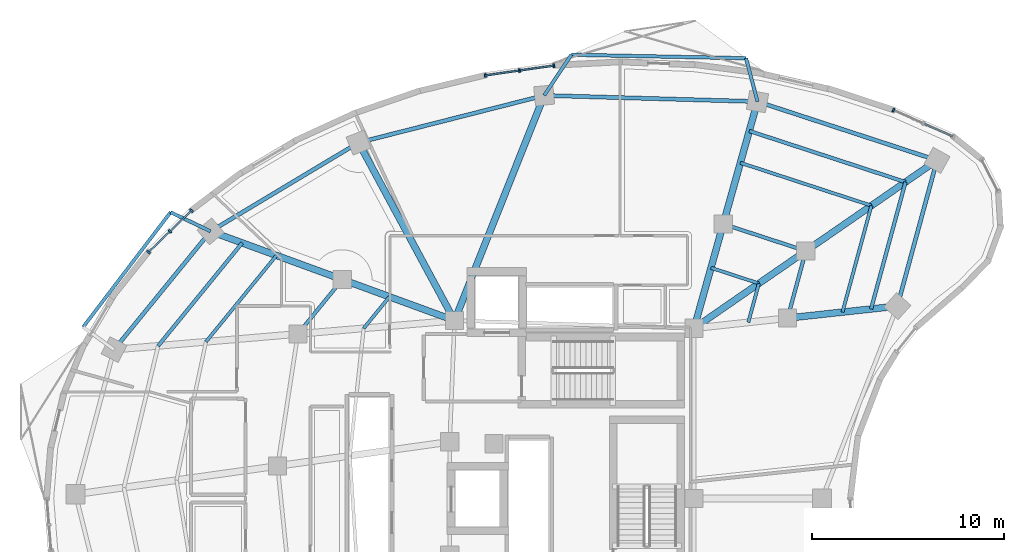
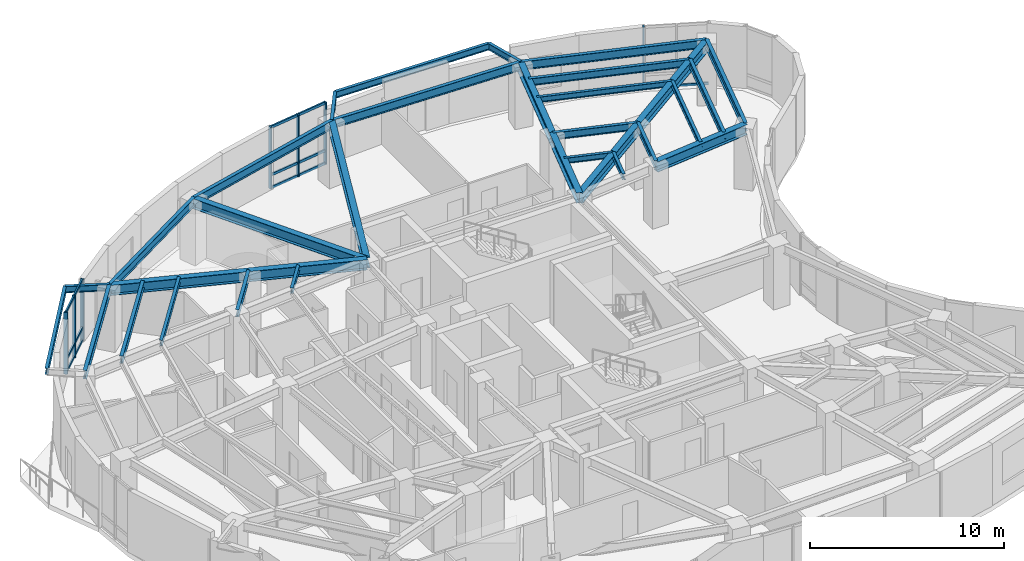
# One storey, part 5 of 14: 32 beams, 20 members, 3 elements without a shape of their own.
"""IFC4 building model written with IfcOpenShell, lengths in metres."""

from ifc_helpers import new_model, si_unit, direction, frame, origin, origin_2d, place, context, subcontext, project, spatial, rectangle, i_section, extrude, material, layer, layer_set, material_profile, profile_set, type_object, element, aggregate, save


model = new_model("IFC4")

# Units and contexts
model_context = context("Model", 3, precision=1e-05, world=origin(), true_north=direction((0.0, 1.0)))
body_context = subcontext(model_context, "Body", "Model", "MODEL_VIEW")
ifc_project = project(units=[si_unit("LENGTHUNIT", "METRE"), si_unit("AREAUNIT", "SQUARE_METRE"), si_unit("VOLUMEUNIT", "CUBIC_METRE"), si_unit("PLANEANGLEUNIT", "RADIAN"), si_unit("MASSUNIT", "GRAM", prefix="KILO")], contexts=[model_context])

# Site, building, storey
site_placement = place(None, origin())
site = spatial("IfcSite", under=ifc_project, at=site_placement, CompositionType="ELEMENT")
building_placement = place(site_placement, origin())
building = spatial("IfcBuilding", under=site, at=building_placement, Name="Korentha Bioscience Tower", CompositionType="ELEMENT")
storey_placement = place(building_placement, frame((0.0, 0.0, 231.0)))
storey = spatial("IfcBuildingStorey", under=building, at=storey_placement, Name="L53", CompositionType="ELEMENT", Elevation=231.0)

# Beams
ifc_material_1 = material(Name="Steel S355", Category="steel")
ifc_material_profile_1 = material_profile(ifc_material_1, i_section(OverallWidth=0.18994140625, OverallDepth=0.45703125, WebThickness=0.009033203125, FlangeThickness=0.014404296875, at=origin_2d()), Name="Steel S355")
ifc_profile_set_1 = profile_set([ifc_material_profile_1], Name="Steel S355 (MB-460)")
beam_type_1 = type_object("IfcBeamType", Name="Mid-Ring Tie Girder W460x74", PredefinedType="BEAM", material=ifc_profile_set_1)
beam_1_placement = place(storey_placement, frame((43.357666015625, 39.8662109375, 3.67138671875), z_axis=(-0.950447398506, 0.310885417274, 0.0), x_axis=(-0.310885417274, -0.950447398506, 0.0)))
element("IfcBeam", 1, at=beam_1_placement, inside=storey, type_object=beam_type_1, Name="L53 Mid-Ring Tie Girder 01", PredefinedType="BEAM", context=body_context, shape_type="SweptSolid", body=[
    extrude(i_section(OverallWidth=0.18994140625, OverallDepth=0.45703125, WebThickness=0.009033203125, FlangeThickness=0.014404296875, at=origin_2d()), origin(), (0.0, 0.0, 1.0), 4.5146484375),
])
beam_2_placement = place(storey_placement, frame((19.268310546875, 38.3837890625, 3.67138671875), z_axis=(-0.632275728894, -0.774743443116, 0.0), x_axis=(0.774743443116, -0.632275728894, 0.0)))
element("IfcBeam", 2, at=beam_2_placement, inside=storey, type_object=beam_type_1, Name="L53 Mid-Ring Tie Girder 05", PredefinedType="BEAM", context=body_context, shape_type="SweptSolid", body=[
    extrude(i_section(OverallWidth=0.18994140625, OverallDepth=0.45703125, WebThickness=0.009033203125, FlangeThickness=0.014404296875, at=origin_2d()), origin(), (0.0, 0.0, 1.0), 3.650146484375),
])
beam_3_placement = place(storey_placement, frame((42.41064453125, 36.379638671875, 3.67138671875), z_axis=(0.262122358011, 0.965034646752, 0.0), x_axis=(-0.965034646752, 0.262122358011, 0.0)))
element("IfcBeam", 3, at=beam_3_placement, inside=storey, type_object=beam_type_1, Name="L53 Mid-Ring Tie Girder 16", PredefinedType="BEAM", context=body_context, shape_type="SweptSolid", body=[
    extrude(i_section(OverallWidth=0.18994140625, OverallDepth=0.45703125, WebThickness=0.009033203125, FlangeThickness=0.014404296875, at=origin_2d()), origin(), (0.0, 0.0, 1.0), 3.61279296875),
])

# Curtain wall, member
ifc_material_2 = material(Name="Thermally Broken Aluminium Frame", Category="aluminium")
ifc_layer = layer(ifc_material_2, 0.219970703125, Name="Thermally Broken Aluminium Frame")
ifc_layer_set = layer_set([ifc_layer], Name="Thermally Broken Aluminium Frame (CW-T1)")
curtain_wall_type = type_object("IfcCurtainWallType", Name="Standard Bioscience Lab Unitised Curtain Wall CW-T1", PredefinedType="USERDEFINED", material=ifc_layer_set)
curtain_wall_1_placement = place(storey_placement, origin())
curtain_wall_1 = element("IfcCurtainWall", 4, at=curtain_wall_1_placement, inside=storey, type_object=curtain_wall_type, Name="L53 Curtain Wall 01", ObjectType="UNITISED", PredefinedType="USERDEFINED")
ifc_material_3 = material(Name="Anodised Aluminium 6063-T6", Category="aluminium")
ifc_material_profile_2 = material_profile(ifc_material_3, rectangle(XDim=0.090087890625, YDim=0.199951171875, at=origin_2d()), Name="Anodised Aluminium 6063-T6")
ifc_profile_set_2 = profile_set([ifc_material_profile_2], Name="Anodised Aluminium 6063-T6 (CW-MUL)")
member_type_1 = type_object("IfcMemberType", Name="Mullion RECT 90x200", PredefinedType="MULLION", material=ifc_profile_set_2)
member_1_placement = place(storey_placement, frame((47.9052734375, 47.186279296875, 0.0), z_axis=(0.0, 0.0, 1.0), x_axis=(-0.913943941578, 0.405840450983, 0.0)))
member_1 = element("IfcMember", 5, at=member_1_placement, type_object=member_type_1, Name="CW-L53-01 Mullion 3", PredefinedType="MULLION", context=body_context, shape_type="SweptSolid", body=[
    extrude(rectangle(XDim=0.090087890625, YDim=0.199951171875, at=origin_2d()), origin(), (0.0, 0.0, 1.0), 3.89990234375),
])

# Curtain wall, members
curtain_wall_2_placement = place(storey_placement, origin())
curtain_wall_2 = element("IfcCurtainWall", 6, at=curtain_wall_2_placement, inside=storey, type_object=curtain_wall_type, Name="L53 Curtain Wall 07", ObjectType="UNITISED", PredefinedType="USERDEFINED")
member_2_placement = place(storey_placement, frame((30.267578125, 49.498779296875, 0.0), z_axis=(0.0, 0.0, 1.0), x_axis=(-0.989901889134, -0.141754188259, 0.0)))
member_2 = element("IfcMember", 7, at=member_2_placement, type_object=member_type_1, Name="CW-L53-07 Mullion 1", PredefinedType="MULLION", context=body_context, shape_type="SweptSolid", body=[
    extrude(rectangle(XDim=0.090087890625, YDim=0.199951171875, at=origin_2d()), origin(), (0.0, 0.0, 1.0), 3.89990234375),
])
member_3_placement = place(storey_placement, frame((28.47998046875, 49.242919921875, 0.0), z_axis=(0.0, 0.0, 1.0), x_axis=(-0.989901889134, -0.141754188259, 0.0)))
member_3 = element("IfcMember", 8, at=member_3_placement, type_object=member_type_1, Name="CW-L53-07 Mullion 2", PredefinedType="MULLION", context=body_context, shape_type="SweptSolid", body=[
    extrude(rectangle(XDim=0.090087890625, YDim=0.199951171875, at=origin_2d()), origin(), (0.0, 0.0, 1.0), 3.89990234375),
])
member_4_placement = place(storey_placement, frame((26.6923828125, 48.98681640625, 0.0), z_axis=(0.0, 0.0, 1.0), x_axis=(-0.989901889134, -0.141754188259, 0.0)))
member_4 = element("IfcMember", 9, at=member_4_placement, type_object=member_type_1, Name="CW-L53-07 Mullion 3", PredefinedType="MULLION", context=body_context, shape_type="SweptSolid", body=[
    extrude(rectangle(XDim=0.090087890625, YDim=0.199951171875, at=origin_2d()), origin(), (0.0, 0.0, 1.0), 3.89990234375),
])

curtain_wall_3_placement = place(storey_placement, origin())
curtain_wall_3 = element("IfcCurtainWall", 10, at=curtain_wall_3_placement, inside=storey, type_object=curtain_wall_type, Name="L53 Curtain Wall 13", ObjectType="UNITISED", PredefinedType="USERDEFINED")
member_5_placement = place(storey_placement, frame((11.43017578125, 41.968994140625, 0.0), z_axis=(0.0, 0.0, 1.0), x_axis=(-0.719000359175, -0.695009700297, 0.0)))
member_5 = element("IfcMember", 11, at=member_5_placement, type_object=member_type_1, Name="CW-L53-13 Mullion 1", PredefinedType="MULLION", context=body_context, shape_type="SweptSolid", body=[
    extrude(rectangle(XDim=0.090087890625, YDim=0.199951171875, at=origin_2d()), origin(), (0.0, 0.0, 1.0), 3.89990234375),
])
member_6_placement = place(storey_placement, frame((10.313232421875, 40.889404296875, 0.0), z_axis=(0.0, 0.0, 1.0), x_axis=(-0.719000359175, -0.695009700297, 0.0)))
member_6 = element("IfcMember", 12, at=member_6_placement, type_object=member_type_1, Name="CW-L53-13 Mullion 2", PredefinedType="MULLION", context=body_context, shape_type="SweptSolid", body=[
    extrude(rectangle(XDim=0.090087890625, YDim=0.199951171875, at=origin_2d()), origin(), (0.0, 0.0, 1.0), 3.89990234375),
])
member_7_placement = place(storey_placement, frame((9.1962890625, 39.809814453125, 0.0), z_axis=(0.0, 0.0, 1.0), x_axis=(-0.719000359175, -0.695009700297, 0.0)))
member_7 = element("IfcMember", 13, at=member_7_placement, type_object=member_type_1, Name="CW-L53-13 Mullion 3", PredefinedType="MULLION", context=body_context, shape_type="SweptSolid", body=[
    extrude(rectangle(XDim=0.090087890625, YDim=0.199951171875, at=origin_2d()), origin(), (0.0, 0.0, 1.0), 3.89990234375),
])

# Beams
ifc_material_profile_3 = material_profile(ifc_material_1, i_section(OverallWidth=0.208984375, OverallDepth=0.532958984375, WebThickness=0.01025390625, FlangeThickness=0.015625, at=origin_2d()), Name="Steel S355")
ifc_profile_set_3 = profile_set([ifc_material_profile_3], Name="Steel S355 (SB-530)")
beam_type_2 = type_object("IfcBeamType", Name="Perimeter Ring Spandrel Girder W530x92", PredefinedType="SPANDREL", material=ifc_profile_set_3)
beam_4_placement = place(storey_placement, frame((50.175537109375, 44.580810546875, 3.633544921875), z_axis=(-0.950449256032, 0.310879738338, 0.0), x_axis=(-0.310879738338, -0.950449256032, 0.0)))
element("IfcBeam", 14, at=beam_4_placement, inside=storey, type_object=beam_type_2, Name="L53 Perimeter Spandrel Girder 01", PredefinedType="SPANDREL", context=body_context, shape_type="SweptSolid", body=[
    extrude(i_section(OverallWidth=0.208984375, OverallDepth=0.532958984375, WebThickness=0.01025390625, FlangeThickness=0.015625, at=origin_2d()), origin(), (0.0, 0.0, 1.0), 9.81494140625),
])
beam_5_placement = place(storey_placement, frame((40.846923828125, 47.632080078125, 3.633544921875), z_axis=(-0.999586140554, 0.028767127286, 0.0), x_axis=(-0.028767127286, -0.999586140554, 0.0)))
element("IfcBeam", 15, at=beam_5_placement, inside=storey, type_object=beam_type_2, Name="L53 Perimeter Spandrel Girder 02", PredefinedType="SPANDREL", context=body_context, shape_type="SweptSolid", body=[
    extrude(i_section(OverallWidth=0.208984375, OverallDepth=0.532958984375, WebThickness=0.01025390625, FlangeThickness=0.015625, at=origin_2d()), origin(), (0.0, 0.0, 1.0), 11.09228515625),
])
beam_6_placement = place(storey_placement, frame((29.75927734375, 47.951171875, 3.633544921875), z_axis=(-0.969197317616, -0.246285524395, 0.0), x_axis=(0.246285524395, -0.969197317616, 0.0)))
element("IfcBeam", 16, at=beam_6_placement, inside=storey, type_object=beam_type_2, Name="L53 Perimeter Spandrel Girder 03", PredefinedType="SPANDREL", context=body_context, shape_type="SweptSolid", body=[
    extrude(i_section(OverallWidth=0.208984375, OverallDepth=0.532958984375, WebThickness=0.01025390625, FlangeThickness=0.015625, at=origin_2d()), origin(), (0.0, 0.0, 1.0), 9.95263671875),
])
beam_7_placement = place(storey_placement, frame((20.11328125, 45.5, 3.633544921875), z_axis=(-0.857644232791, -0.514243492872, 0.0), x_axis=(0.514243492872, -0.857644232791, 0.0)))
element("IfcBeam", 17, at=beam_7_placement, inside=storey, type_object=beam_type_2, Name="L53 Perimeter Spandrel Girder 04", PredefinedType="SPANDREL", context=body_context, shape_type="SweptSolid", body=[
    extrude(i_section(OverallWidth=0.208984375, OverallDepth=0.532958984375, WebThickness=0.01025390625, FlangeThickness=0.015625, at=origin_2d()), origin(), (0.0, 0.0, 1.0), 8.96728515625),
])
beam_8_placement = place(storey_placement, frame((12.422607421875, 40.888671875, 3.633544921875), z_axis=(-0.632315820697, -0.774710722074, 0.0), x_axis=(0.774710722074, -0.632315820697, 0.0)))
element("IfcBeam", 18, at=beam_8_placement, inside=storey, type_object=beam_type_2, Name="L53 Perimeter Spandrel Girder 05", PredefinedType="SPANDREL", context=body_context, shape_type="SweptSolid", body=[
    extrude(i_section(OverallWidth=0.208984375, OverallDepth=0.532958984375, WebThickness=0.01025390625, FlangeThickness=0.015625, at=origin_2d()), origin(), (0.0, 0.0, 1.0), 7.934814453125),
])
beam_9_placement = place(storey_placement, frame((48.116455078125, 37.001220703125, 3.633544921875), z_axis=(0.26215989838, 0.965024449266, 0.0), x_axis=(-0.965024449266, 0.26215989838, 0.0)))
element("IfcBeam", 19, at=beam_9_placement, inside=storey, type_object=beam_type_2, Name="L53 Perimeter Spandrel Girder 16", PredefinedType="SPANDREL", context=body_context, shape_type="SweptSolid", body=[
    extrude(i_section(OverallWidth=0.208984375, OverallDepth=0.532958984375, WebThickness=0.01025390625, FlangeThickness=0.015625, at=origin_2d()), origin(), (0.0, 0.0, 1.0), 7.854248046875),
])
ifc_material_profile_4 = material_profile(ifc_material_1, i_section(OverallWidth=0.18994140625, OverallDepth=0.45703125, WebThickness=0.009033203125, FlangeThickness=0.014404296875, at=origin_2d()), Name="Steel S355")
ifc_profile_set_4 = profile_set([ifc_material_profile_4], Name="Steel S355 (RB-460)")
beam_type_3 = type_object("IfcBeamType", Name="Radial Laboratory Beam W460x74", PredefinedType="BEAM", material=ifc_profile_set_4)
beam_10_placement = place(storey_placement, frame((48.539306640625, 43.44921875, 3.67138671875), z_axis=(-0.950451488918, 0.310872911674, 0.0), x_axis=(-0.310872911674, -0.950451488918, 0.0)))
element("IfcBeam", 20, at=beam_10_placement, inside=storey, type_object=beam_type_3, Name="L53 Secondary Floor Beam JSTO-01", PredefinedType="BEAM", context=body_context, shape_type="SweptSolid", body=[
    extrude(i_section(OverallWidth=0.18994140625, OverallDepth=0.45703125, WebThickness=0.009033203125, FlangeThickness=0.014404296875, at=origin_2d()), origin(), (0.0, 0.0, 1.0), 8.54296875),
])
beam_11_placement = place(storey_placement, frame((14.065673828125, 40.28759765625, 3.67138671875), z_axis=(-0.632321075077, -0.77470643344, 0.0), x_axis=(0.77470643344, -0.632321075077, 0.0)))
element("IfcBeam", 21, at=beam_11_placement, inside=storey, type_object=beam_type_3, Name="L53 Secondary Floor Beam JSTO-05", PredefinedType="BEAM", context=body_context, shape_type="SweptSolid", body=[
    extrude(i_section(OverallWidth=0.18994140625, OverallDepth=0.45703125, WebThickness=0.009033203125, FlangeThickness=0.014404296875, at=origin_2d()), origin(), (0.0, 0.0, 1.0), 6.906494140625),
])
beam_12_placement = place(storey_placement, frame((46.7470703125, 36.85205078125, 3.67138671875), z_axis=(0.262165402462, 0.965022954003, 0.0), x_axis=(-0.965022954003, 0.262165402462, 0.0)))
element("IfcBeam", 22, at=beam_12_placement, inside=storey, type_object=beam_type_3, Name="L53 Secondary Floor Beam JSTO-16", PredefinedType="BEAM", context=body_context, shape_type="SweptSolid", body=[
    extrude(i_section(OverallWidth=0.18994140625, OverallDepth=0.45703125, WebThickness=0.009033203125, FlangeThickness=0.014404296875, at=origin_2d()), origin(), (0.0, 0.0, 1.0), 6.836181640625),
])
ifc_material_profile_5 = material_profile(ifc_material_1, i_section(OverallWidth=0.35009765625, OverallDepth=0.64990234375, WebThickness=0.01611328125, FlangeThickness=0.02490234375, at=origin_2d()), Name="Steel S355")
ifc_profile_set_5 = profile_set([ifc_material_profile_5], Name="Steel S355 (RB-650)")
beam_type_4 = type_object("IfcBeamType", Name="Radial Laboratory Girder CVS 650x208", PredefinedType="BEAM", material=ifc_profile_set_5)
beam_13_placement = place(storey_placement, frame((37.550048828125, 35.85009765625, 3.574951171875), z_axis=(0.822493302413, 0.568774795052, 0.0), x_axis=(-0.568774795052, 0.822493302413, 0.0)))
element("IfcBeam", 23, at=beam_13_placement, inside=storey, type_object=beam_type_4, Name="L53 Inner Radial Girder 01", PredefinedType="BEAM", context=body_context, shape_type="SweptSolid", body=[
    extrude(i_section(OverallWidth=0.35009765625, OverallDepth=0.64990234375, WebThickness=0.01611328125, FlangeThickness=0.02490234375, at=origin_2d()), origin(), (0.0, 0.0, 1.0), 7.06103515625),
])
beam_14_placement = place(storey_placement, frame((43.357666015625, 39.8662109375, 3.574951171875), z_axis=(0.82250061903, 0.568764214499, 0.0), x_axis=(-0.568764214499, 0.82250061903, 0.0)))
element("IfcBeam", 24, at=beam_14_placement, inside=storey, type_object=beam_type_4, Name="L53 Outer Radial Girder 01", PredefinedType="BEAM", context=body_context, shape_type="SweptSolid", body=[
    extrude(i_section(OverallWidth=0.35009765625, OverallDepth=0.64990234375, WebThickness=0.01611328125, FlangeThickness=0.02490234375, at=origin_2d()), origin(), (0.0, 0.0, 1.0), 8.289306640625),
])
beam_15_placement = place(storey_placement, frame((37.550048828125, 35.85009765625, 3.574951171875), z_axis=(0.269480278508, 0.963005908339, 0.0), x_axis=(-0.963005908339, 0.269480278508, 0.0)))
element("IfcBeam", 25, at=beam_15_placement, inside=storey, type_object=beam_type_4, Name="L53 Inner Radial Girder 02", PredefinedType="BEAM", context=body_context, shape_type="SweptSolid", body=[
    extrude(i_section(OverallWidth=0.35009765625, OverallDepth=0.64990234375, WebThickness=0.01611328125, FlangeThickness=0.02490234375, at=origin_2d()), origin(), (0.0, 0.0, 1.0), 5.6279296875),
])
beam_16_placement = place(storey_placement, frame((39.066650390625, 41.269775390625, 3.574951171875), z_axis=(0.269465439817, 0.963010060562, 0.0), x_axis=(-0.963010060562, 0.269465439817, 0.0)))
element("IfcBeam", 26, at=beam_16_placement, inside=storey, type_object=beam_type_4, Name="L53 Outer Radial Girder 02", PredefinedType="BEAM", context=body_context, shape_type="SweptSolid", body=[
    extrude(i_section(OverallWidth=0.35009765625, OverallDepth=0.64990234375, WebThickness=0.01611328125, FlangeThickness=0.02490234375, at=origin_2d()), origin(), (0.0, 0.0, 1.0), 6.606689453125),
])
beam_17_placement = place(storey_placement, frame((25.10009765625, 36.25, 3.574951171875), z_axis=(0.369933042289, 0.929058418089, 0.0), x_axis=(-0.929058418089, 0.369933042289, 0.0)))
element("IfcBeam", 27, at=beam_17_placement, inside=storey, type_object=beam_type_4, Name="L53 Radial Girder 03", PredefinedType="BEAM", context=body_context, shape_type="SweptSolid", body=[
    extrude(i_section(OverallWidth=0.35009765625, OverallDepth=0.64990234375, WebThickness=0.01611328125, FlangeThickness=0.02490234375, at=origin_2d()), origin(), (0.0, 0.0, 1.0), 12.5947265625),
])
beam_18_placement = place(storey_placement, frame((25.10009765625, 36.25, 3.574951171875), z_axis=(-0.474545867703, 0.880230776243, 0.0), x_axis=(-0.880230776243, -0.474545867703, 0.0)))
element("IfcBeam", 28, at=beam_18_placement, inside=storey, type_object=beam_type_4, Name="L53 Radial Girder 04", PredefinedType="BEAM", context=body_context, shape_type="SweptSolid", body=[
    extrude(i_section(OverallWidth=0.35009765625, OverallDepth=0.64990234375, WebThickness=0.01611328125, FlangeThickness=0.02490234375, at=origin_2d()), origin(), (0.0, 0.0, 1.0), 10.508544921875),
])
beam_19_placement = place(storey_placement, frame((25.10009765625, 36.25, 3.574951171875), z_axis=(-0.939112022558, 0.343611130622, 0.0), x_axis=(-0.343611130622, -0.939112022558, 0.0)))
element("IfcBeam", 29, at=beam_19_placement, inside=storey, type_object=beam_type_4, Name="L53 Inner Radial Girder 05", PredefinedType="BEAM", context=body_context, shape_type="SweptSolid", body=[
    extrude(i_section(OverallWidth=0.35009765625, OverallDepth=0.64990234375, WebThickness=0.01611328125, FlangeThickness=0.02490234375, at=origin_2d()), origin(), (0.0, 0.0, 1.0), 6.2099609375),
])
beam_20_placement = place(storey_placement, frame((19.268310546875, 38.3837890625, 3.574951171875), z_axis=(-0.939107036581, 0.343624757322, 0.0), x_axis=(-0.343624757322, -0.939107036581, 0.0)))
element("IfcBeam", 30, at=beam_20_placement, inside=storey, type_object=beam_type_4, Name="L53 Outer Radial Girder 05", PredefinedType="BEAM", context=body_context, shape_type="SweptSolid", body=[
    extrude(i_section(OverallWidth=0.35009765625, OverallDepth=0.64990234375, WebThickness=0.01611328125, FlangeThickness=0.02490234375, at=origin_2d()), origin(), (0.0, 0.0, 1.0), 7.28955078125),
])
beam_21_placement = place(storey_placement, frame((42.41064453125, 36.379638671875, 3.574951171875), z_axis=(0.994118507308, 0.108297707398, 0.0), x_axis=(-0.108297707398, 0.994118507308, 0.0)))
element("IfcBeam", 31, at=beam_21_placement, inside=storey, type_object=beam_type_4, Name="L53 Outer Radial Girder 16", PredefinedType="BEAM", context=body_context, shape_type="SweptSolid", body=[
    extrude(i_section(OverallWidth=0.35009765625, OverallDepth=0.64990234375, WebThickness=0.01611328125, FlangeThickness=0.02490234375, at=origin_2d()), origin(), (0.0, 0.0, 1.0), 5.739501953125),
])
ifc_material_profile_6 = material_profile(ifc_material_1, i_section(OverallWidth=0.1708984375, OverallDepth=0.35498046875, WebThickness=0.007080078125, FlangeThickness=0.01171875, at=origin_2d()), Name="Steel S355")
ifc_profile_set_6 = profile_set([ifc_material_profile_6], Name="Steel S355 (JB-360)")
beam_type_5 = type_object("IfcBeamType", Name="Secondary Laboratory Joist W360x51", PredefinedType="JOIST", material=ifc_profile_set_6)
beam_22_placement = place(storey_placement, frame((46.7666015625, 42.223388671875, 3.722412109375), z_axis=(-0.950443636542, 0.310896918216, 0.0), x_axis=(-0.310896918216, -0.950443636542, 0.0)))
element("IfcBeam", 32, at=beam_22_placement, inside=storey, type_object=beam_type_5, Name="L53 Secondary Floor Beam JST-01", PredefinedType="JOIST", context=body_context, shape_type="SweptSolid", body=[
    extrude(i_section(OverallWidth=0.1708984375, OverallDepth=0.35498046875, WebThickness=0.007080078125, FlangeThickness=0.01171875, at=origin_2d()), origin(), (0.0, 0.0, 1.0), 7.164794921875),
])
beam_23_placement = place(storey_placement, frame((40.91845703125, 38.179443359375, 3.722412109375), z_axis=(-0.950458247894, 0.31085224627, 0.0), x_axis=(-0.31085224627, -0.950458247894, 0.0)))
element("IfcBeam", 33, at=beam_23_placement, inside=storey, type_object=beam_type_5, Name="L53 Inner Bay Joist 01", PredefinedType="JOIST", context=body_context, shape_type="SweptSolid", body=[
    extrude(i_section(OverallWidth=0.1708984375, OverallDepth=0.35498046875, WebThickness=0.007080078125, FlangeThickness=0.01171875, at=origin_2d()), origin(), (0.0, 0.0, 1.0), 2.618408203125),
])
beam_24_placement = place(storey_placement, frame((15.845458984375, 39.63623046875, 3.722412109375), z_axis=(-0.632303189088, -0.774721031771, 0.0), x_axis=(0.774721031771, -0.632303189088, 0.0)))
element("IfcBeam", 34, at=beam_24_placement, inside=storey, type_object=beam_type_5, Name="L53 Secondary Floor Beam JST-05", PredefinedType="JOIST", context=body_context, shape_type="SweptSolid", body=[
    extrude(i_section(OverallWidth=0.1708984375, OverallDepth=0.35498046875, WebThickness=0.007080078125, FlangeThickness=0.01171875, at=origin_2d()), origin(), (0.0, 0.0, 1.0), 5.79248046875),
])
beam_25_placement = place(storey_placement, frame((21.7177734375, 37.487548828125, 3.722412109375), z_axis=(-0.632370841021, -0.774665811448, 0.0), x_axis=(0.774665811448, -0.632370841021, 0.0)))
element("IfcBeam", 35, at=beam_25_placement, inside=storey, type_object=beam_type_5, Name="L53 Inner Bay Joist 05", PredefinedType="JOIST", context=body_context, shape_type="SweptSolid", body=[
    extrude(i_section(OverallWidth=0.1708984375, OverallDepth=0.35498046875, WebThickness=0.007080078125, FlangeThickness=0.01171875, at=origin_2d()), origin(), (0.0, 0.0, 1.0), 2.1171875),
])
beam_26_placement = place(storey_placement, frame((45.263671875, 36.6904296875, 3.722412109375), z_axis=(0.262133629198, 0.965031585205, 0.0), x_axis=(-0.965031585205, 0.262133629198, 0.0)))
element("IfcBeam", 36, at=beam_26_placement, inside=storey, type_object=beam_type_5, Name="L53 Secondary Floor Beam JST-16", PredefinedType="JOIST", context=body_context, shape_type="SweptSolid", body=[
    extrude(i_section(OverallWidth=0.1708984375, OverallDepth=0.35498046875, WebThickness=0.007080078125, FlangeThickness=0.01171875, at=origin_2d()), origin(), (0.0, 0.0, 1.0), 5.7333984375),
])
beam_27_placement = place(storey_placement, frame((40.369140625, 36.1572265625, 3.722412109375), z_axis=(0.262141298938, 0.965029501824, 0.0), x_axis=(-0.965029501824, 0.262141298938, 0.0)))
element("IfcBeam", 37, at=beam_27_placement, inside=storey, type_object=beam_type_5, Name="L53 Inner Bay Joist 16", PredefinedType="JOIST", context=body_context, shape_type="SweptSolid", body=[
    extrude(i_section(OverallWidth=0.1708984375, OverallDepth=0.35498046875, WebThickness=0.007080078125, FlangeThickness=0.01171875, at=origin_2d()), origin(), (0.0, 0.0, 1.0), 2.095458984375),
])
ifc_material_profile_7 = material_profile(ifc_material_1, i_section(OverallWidth=0.177978515625, OverallDepth=0.406982421875, WebThickness=0.0078125, FlangeThickness=0.0126953125, at=origin_2d()), Name="Steel S355")
ifc_profile_set_7 = profile_set([ifc_material_profile_7], Name="Steel S355 (CB-410)")
beam_type_6 = type_object("IfcBeamType", Name="Sun-Ledge Cantilever Beam W410x60", PredefinedType="BEAM", material=ifc_profile_set_7)
beam_28_placement = place(storey_placement, frame((40.846923828125, 47.632080078125, 3.698486328125), z_axis=(-0.255463227705, 0.966818772723, 0.0), x_axis=(-0.966818772723, -0.255463227705, 0.0)))
element("IfcBeam", 38, at=beam_28_placement, inside=storey, type_object=beam_type_6, Name="L53 Balcony Cantilever Bracket A-L54-01", PredefinedType="BEAM", context=body_context, shape_type="SweptSolid", body=[
    extrude(i_section(OverallWidth=0.177978515625, OverallDepth=0.406982421875, WebThickness=0.0078125, FlangeThickness=0.0126953125, at=origin_2d()), origin(), (0.0, 0.0, 1.0), 2.3291015625),
])
beam_29_placement = place(storey_placement, frame((29.75927734375, 47.951171875, 3.698486328125), z_axis=(0.555917181589, 0.831237683947, 0.0), x_axis=(-0.831237683947, 0.555917181589, 0.0)))
element("IfcBeam", 39, at=beam_29_placement, inside=storey, type_object=beam_type_6, Name="L53 Balcony Cantilever Bracket B-L54-01", PredefinedType="BEAM", context=body_context, shape_type="SweptSolid", body=[
    extrude(i_section(OverallWidth=0.177978515625, OverallDepth=0.406982421875, WebThickness=0.0078125, FlangeThickness=0.0126953125, at=origin_2d()), origin(), (0.0, 0.0, 1.0), 2.544921875),
])
beam_30_placement = place(storey_placement, frame((40.251953125, 49.8837890625, 3.698486328125), z_axis=(-0.999797179128, 0.020139528472, 0.0), x_axis=(-0.020139528472, -0.999797179128, 0.0)))
element("IfcBeam", 40, at=beam_30_placement, inside=storey, type_object=beam_type_6, Name="L53 Balcony Edge Trimmer Beam L54-01", PredefinedType="BEAM", context=body_context, shape_type="SweptSolid", body=[
    extrude(i_section(OverallWidth=0.177978515625, OverallDepth=0.406982421875, WebThickness=0.0078125, FlangeThickness=0.0126953125, at=origin_2d()), origin(), (0.0, 0.0, 1.0), 9.079833984375),
])
beam_31_placement = place(storey_placement, frame((12.422607421875, 40.888671875, 3.698486328125), z_axis=(-0.902474487812, 0.430743309697, 0.0), x_axis=(-0.430743309697, -0.902474487812, 0.0)))
element("IfcBeam", 41, at=beam_31_placement, inside=storey, type_object=beam_type_6, Name="L53 Balcony Cantilever Bracket A-L54-02", PredefinedType="BEAM", context=body_context, shape_type="SweptSolid", body=[
    extrude(i_section(OverallWidth=0.177978515625, OverallDepth=0.406982421875, WebThickness=0.0078125, FlangeThickness=0.0126953125, at=origin_2d()), origin(), (0.0, 0.0, 1.0), 2.30517578125),
])
beam_32_placement = place(storey_placement, frame((10.34228515625, 41.881591796875, 3.698486328125), z_axis=(-0.605684104177, -0.795705200402, 0.0), x_axis=(0.795705200402, -0.605684104177, 0.0)))
element("IfcBeam", 42, at=beam_32_placement, inside=storey, type_object=beam_type_6, Name="L53 Balcony Edge Trimmer Beam L54-02", PredefinedType="BEAM", context=body_context, shape_type="SweptSolid", body=[
    extrude(i_section(OverallWidth=0.177978515625, OverallDepth=0.406982421875, WebThickness=0.0078125, FlangeThickness=0.0126953125, at=origin_2d()), origin(), (0.0, 0.0, 1.0), 7.498046875),
])

# Member
ifc_material_profile_8 = material_profile(ifc_material_3, rectangle(XDim=0.090087890625, YDim=0.159912109375, at=origin_2d()), Name="Anodised Aluminium 6063-T6")
ifc_profile_set_8 = profile_set([ifc_material_profile_8], Name="Anodised Aluminium 6063-T6 (CW-TRN)")
member_type_2 = type_object("IfcMemberType", Name="Transom RECT 90x160", PredefinedType="USERDEFINED", material=ifc_profile_set_8)
member_8_placement = place(storey_placement, frame((50.99755859375, 45.813232421875, 0.044921875), z_axis=(-0.913935479932, 0.405859505891, 0.0), x_axis=(-0.405859505891, -0.913935479932, 0.0)))
member_8 = element("IfcMember", 43, at=member_8_placement, type_object=member_type_2, Name="CW-L53-01 Bay 1 Transom 1", ObjectType="TRANSOM", PredefinedType="USERDEFINED", context=body_context, shape_type="SweptSolid", body=[
    extrude(rectangle(XDim=0.090087890625, YDim=0.159912109375, at=origin_2d()), origin(), (0.0, 0.0, 1.0), 1.624267578125),
])

aggregate(curtain_wall_1, [member_1, member_8])

member_9_placement = place(storey_placement, frame((30.222900390625, 49.492431640625, 0.044921875), z_axis=(-0.989906761771, -0.141720157356, 0.0), x_axis=(0.141720157356, -0.989906761771, 0.0)))
member_9 = element("IfcMember", 44, at=member_9_placement, type_object=member_type_2, Name="CW-L53-07 Bay 1 Transom 1", ObjectType="TRANSOM", PredefinedType="USERDEFINED", context=body_context, shape_type="SweptSolid", body=[
    extrude(rectangle(XDim=0.090087890625, YDim=0.159912109375, at=origin_2d()), origin(), (0.0, 0.0, 1.0), 1.7158203125),
])

member_10_placement = place(storey_placement, frame((30.222900390625, 49.492431640625, 0.85009765625), z_axis=(-0.989906761771, -0.141720157356, 0.0), x_axis=(0.141720157356, -0.989906761771, 0.0)))
member_10 = element("IfcMember", 45, at=member_10_placement, type_object=member_type_2, Name="CW-L53-07 Bay 1 Transom 2", ObjectType="TRANSOM", PredefinedType="USERDEFINED", context=body_context, shape_type="SweptSolid", body=[
    extrude(rectangle(XDim=0.090087890625, YDim=0.159912109375, at=origin_2d()), origin(), (0.0, 0.0, 1.0), 1.7158203125),
])

member_11_placement = place(storey_placement, frame((30.222900390625, 49.492431640625, 3.85498046875), z_axis=(-0.989906761771, -0.141720157356, 0.0), x_axis=(0.141720157356, -0.989906761771, 0.0)))
member_11 = element("IfcMember", 46, at=member_11_placement, type_object=member_type_2, Name="CW-L53-07 Bay 1 Transom 3", ObjectType="TRANSOM", PredefinedType="USERDEFINED", context=body_context, shape_type="SweptSolid", body=[
    extrude(rectangle(XDim=0.090087890625, YDim=0.159912109375, at=origin_2d()), origin(), (0.0, 0.0, 1.0), 1.7158203125),
])

member_12_placement = place(storey_placement, frame((28.435302734375, 49.236572265625, 0.044921875), z_axis=(-0.989903903342, -0.14174012187, 0.0), x_axis=(0.14174012187, -0.989903903342, 0.0)))
member_12 = element("IfcMember", 47, at=member_12_placement, type_object=member_type_2, Name="CW-L53-07 Bay 2 Transom 1", ObjectType="TRANSOM", PredefinedType="USERDEFINED", context=body_context, shape_type="SweptSolid", body=[
    extrude(rectangle(XDim=0.090087890625, YDim=0.159912109375, at=origin_2d()), origin(), (0.0, 0.0, 1.0), 1.715576171875),
])

member_13_placement = place(storey_placement, frame((28.435302734375, 49.236572265625, 0.85009765625), z_axis=(-0.989903903342, -0.14174012187, 0.0), x_axis=(0.14174012187, -0.989903903342, 0.0)))
member_13 = element("IfcMember", 48, at=member_13_placement, type_object=member_type_2, Name="CW-L53-07 Bay 2 Transom 2", ObjectType="TRANSOM", PredefinedType="USERDEFINED", context=body_context, shape_type="SweptSolid", body=[
    extrude(rectangle(XDim=0.090087890625, YDim=0.159912109375, at=origin_2d()), origin(), (0.0, 0.0, 1.0), 1.715576171875),
])

member_14_placement = place(storey_placement, frame((28.435302734375, 49.236572265625, 3.85498046875), z_axis=(-0.989903903342, -0.14174012187, 0.0), x_axis=(0.14174012187, -0.989903903342, 0.0)))
member_14 = element("IfcMember", 49, at=member_14_placement, type_object=member_type_2, Name="CW-L53-07 Bay 2 Transom 3", ObjectType="TRANSOM", PredefinedType="USERDEFINED", context=body_context, shape_type="SweptSolid", body=[
    extrude(rectangle(XDim=0.090087890625, YDim=0.159912109375, at=origin_2d()), origin(), (0.0, 0.0, 1.0), 1.715576171875),
])

aggregate(curtain_wall_2, [member_2, member_3, member_4, member_9, member_10, member_11, member_12, member_13, member_14])

member_15_placement = place(storey_placement, frame((11.397705078125, 41.937744140625, 0.044921875), z_axis=(-0.719016163687, -0.694993349865, 0.0), x_axis=(0.694993349865, -0.719016163687, 0.0)))
member_15 = element("IfcMember", 50, at=member_15_placement, type_object=member_type_2, Name="CW-L53-13 Bay 1 Transom 1", ObjectType="TRANSOM", PredefinedType="USERDEFINED", context=body_context, shape_type="SweptSolid", body=[
    extrude(rectangle(XDim=0.090087890625, YDim=0.159912109375, at=origin_2d()), origin(), (0.0, 0.0, 1.0), 1.46337890625),
])

member_16_placement = place(storey_placement, frame((11.397705078125, 41.937744140625, 0.85009765625), z_axis=(-0.719016163687, -0.694993349865, 0.0), x_axis=(0.694993349865, -0.719016163687, 0.0)))
member_16 = element("IfcMember", 51, at=member_16_placement, type_object=member_type_2, Name="CW-L53-13 Bay 1 Transom 2", ObjectType="TRANSOM", PredefinedType="USERDEFINED", context=body_context, shape_type="SweptSolid", body=[
    extrude(rectangle(XDim=0.090087890625, YDim=0.159912109375, at=origin_2d()), origin(), (0.0, 0.0, 1.0), 1.46337890625),
])

member_17_placement = place(storey_placement, frame((11.397705078125, 41.937744140625, 3.85498046875), z_axis=(-0.719016163687, -0.694993349865, 0.0), x_axis=(0.694993349865, -0.719016163687, 0.0)))
member_17 = element("IfcMember", 52, at=member_17_placement, type_object=member_type_2, Name="CW-L53-13 Bay 1 Transom 3", ObjectType="TRANSOM", PredefinedType="USERDEFINED", context=body_context, shape_type="SweptSolid", body=[
    extrude(rectangle(XDim=0.090087890625, YDim=0.159912109375, at=origin_2d()), origin(), (0.0, 0.0, 1.0), 1.46337890625),
])

member_18_placement = place(storey_placement, frame((10.28076171875, 40.858154296875, 0.044921875), z_axis=(-0.719016163687, -0.694993349865, 0.0), x_axis=(0.694993349865, -0.719016163687, 0.0)))
member_18 = element("IfcMember", 53, at=member_18_placement, type_object=member_type_2, Name="CW-L53-13 Bay 2 Transom 1", ObjectType="TRANSOM", PredefinedType="USERDEFINED", context=body_context, shape_type="SweptSolid", body=[
    extrude(rectangle(XDim=0.090087890625, YDim=0.159912109375, at=origin_2d()), origin(), (0.0, 0.0, 1.0), 1.46337890625),
])

member_19_placement = place(storey_placement, frame((10.28076171875, 40.858154296875, 0.85009765625), z_axis=(-0.719016163687, -0.694993349865, 0.0), x_axis=(0.694993349865, -0.719016163687, 0.0)))
member_19 = element("IfcMember", 54, at=member_19_placement, type_object=member_type_2, Name="CW-L53-13 Bay 2 Transom 2", ObjectType="TRANSOM", PredefinedType="USERDEFINED", context=body_context, shape_type="SweptSolid", body=[
    extrude(rectangle(XDim=0.090087890625, YDim=0.159912109375, at=origin_2d()), origin(), (0.0, 0.0, 1.0), 1.46337890625),
])

member_20_placement = place(storey_placement, frame((10.28076171875, 40.858154296875, 3.85498046875), z_axis=(-0.719016163687, -0.694993349865, 0.0), x_axis=(0.694993349865, -0.719016163687, 0.0)))
member_20 = element("IfcMember", 55, at=member_20_placement, type_object=member_type_2, Name="CW-L53-13 Bay 2 Transom 3", ObjectType="TRANSOM", PredefinedType="USERDEFINED", context=body_context, shape_type="SweptSolid", body=[
    extrude(rectangle(XDim=0.090087890625, YDim=0.159912109375, at=origin_2d()), origin(), (0.0, 0.0, 1.0), 1.46337890625),
])

aggregate(curtain_wall_3, [member_5, member_6, member_7, member_15, member_16, member_17, member_18, member_19, member_20])

save(model, "model.ifc")
